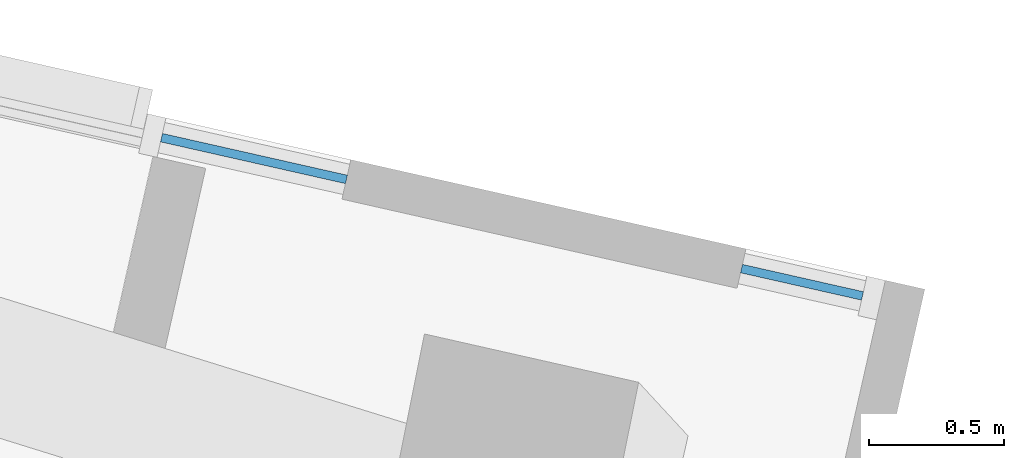
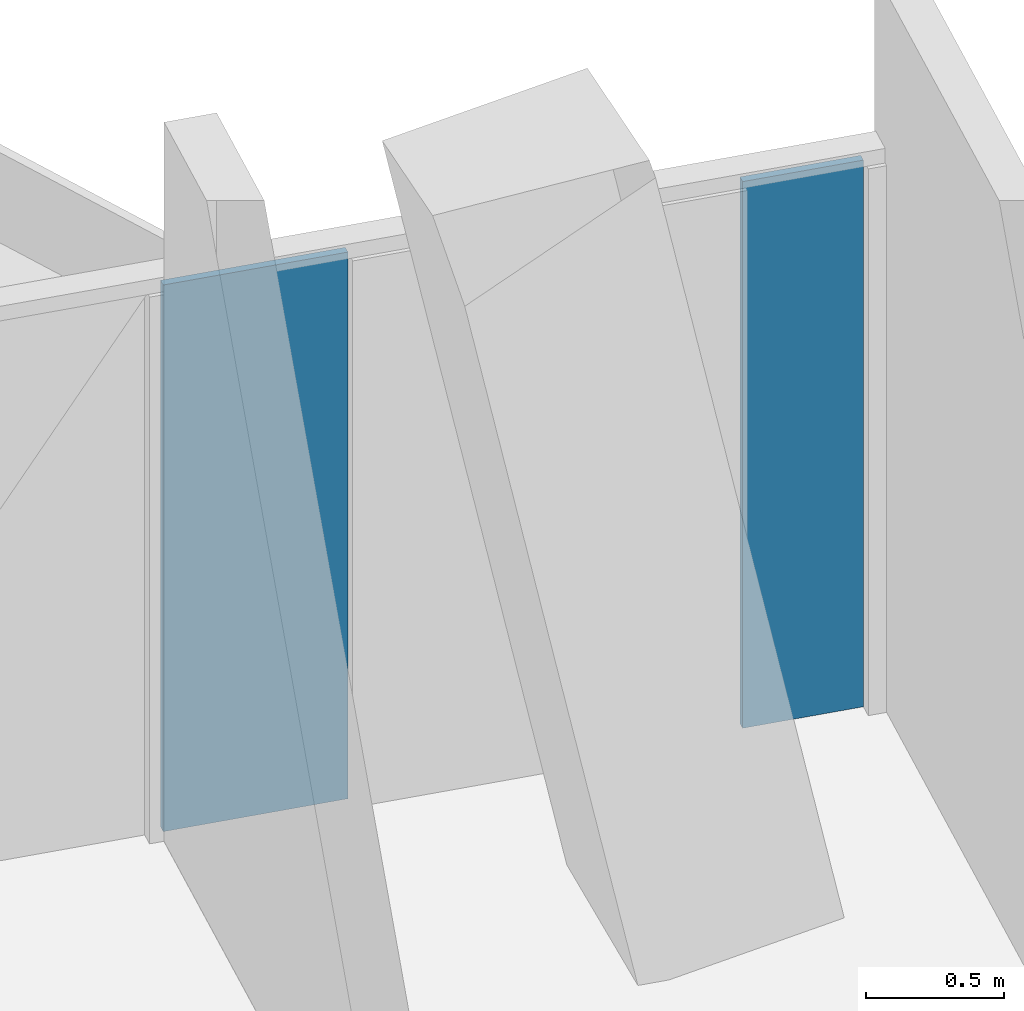
# One storey, part 14 of 25: 2 plates, 1 element without a shape of its own.
"""IFC4 building model written with IfcOpenShell, lengths in metres."""

from ifc_helpers import new_model, si_unit, direction, frame, origin, origin_2d, place, context, subcontext, project, spatial, rectangle, extrude, material, layer, layer_set, type_object, element, aggregate, save


model = new_model("IFC4")

# Units and contexts
model_context = context("Model", 3, precision=1e-05, world=origin(), true_north=direction((0.0, 1.0)))
body_context = subcontext(model_context, "Body", "Model", "MODEL_VIEW")
ifc_project = project(units=[si_unit("LENGTHUNIT", "METRE"), si_unit("AREAUNIT", "SQUARE_METRE"), si_unit("VOLUMEUNIT", "CUBIC_METRE"), si_unit("PLANEANGLEUNIT", "RADIAN"), si_unit("MASSUNIT", "GRAM", prefix="KILO")], contexts=[model_context])

# Site, building, storey
site_placement = place(None, origin())
site = spatial("IfcSite", under=ifc_project, at=site_placement, CompositionType="ELEMENT")
building_placement = place(site_placement, origin())
building = spatial("IfcBuilding", under=site, at=building_placement, Name="Verdalira Terraces Hotel", CompositionType="ELEMENT")
storey_placement = place(building_placement, frame((0.0, 0.0, 103.5)))
storey = spatial("IfcBuildingStorey", under=building, at=storey_placement, Name="L24", CompositionType="ELEMENT", Elevation=103.5)

# Curtain wall, plates
ifc_material_1 = material(Name="Clear glass", Category="glass")
ifc_layer_1 = layer(ifc_material_1, 0.14990234375)
ifc_layer_set_1 = layer_set([ifc_layer_1], Name="CW2 curtain wall")
curtain_wall_type = type_object("IfcCurtainWallType", Name="CW2 curtain wall", PredefinedType="NOTDEFINED", material=ifc_layer_set_1)
curtain_wall_placement = place(storey_placement, origin())
curtain_wall = element("IfcCurtainWall", 1, at=curtain_wall_placement, inside=storey, type_object=curtain_wall_type, Name="CW2 curtain wall L24 edge 38", PredefinedType="NOTDEFINED")
ifc_material_2 = material(Name="Clear glass", Category="glass")
ifc_layer_2 = layer(ifc_material_2, 0.031982421875)
ifc_layer_set_2 = layer_set([ifc_layer_2], Name="CW2 glass unit 32")
plate_type = type_object("IfcPlateType", Name="CW2 glass unit 32", PredefinedType="CURTAIN_PANEL", material=ifc_layer_set_2)
plate_1_placement = place(storey_placement, frame((29.166504, 0.00293, 0.0), z_axis=(0.0, 0.0, 1.0), x_axis=(-0.975457744, 0.220186717, 0.0)))
plate_1 = element("IfcPlate", 2, at=plate_1_placement, type_object=plate_type, Name="CW2 glass unit", PredefinedType="CURTAIN_PANEL", context=body_context, shape_type="SweptSolid", body=[
    extrude(rectangle(XDim=0.459961, YDim=0.031982, at=origin_2d()), origin(), (0.0, 0.0, 1.0), 2.425049),
])
plate_2_placement = place(storey_placement, frame((27.134277, 0.46167, 0.0), z_axis=(0.0, 0.0, 1.0), x_axis=(-0.975457744, 0.220186717, 0.0)))
plate_2 = element("IfcPlate", 3, at=plate_2_placement, type_object=plate_type, Name="CW2 glass unit", PredefinedType="CURTAIN_PANEL", context=body_context, shape_type="SweptSolid", body=[
    extrude(rectangle(XDim=0.703125, YDim=0.031982, at=origin_2d()), origin(), (0.0, 0.0, 1.0), 2.425049),
])
aggregate(curtain_wall, [plate_1, plate_2])

save(model, "model.ifc")
